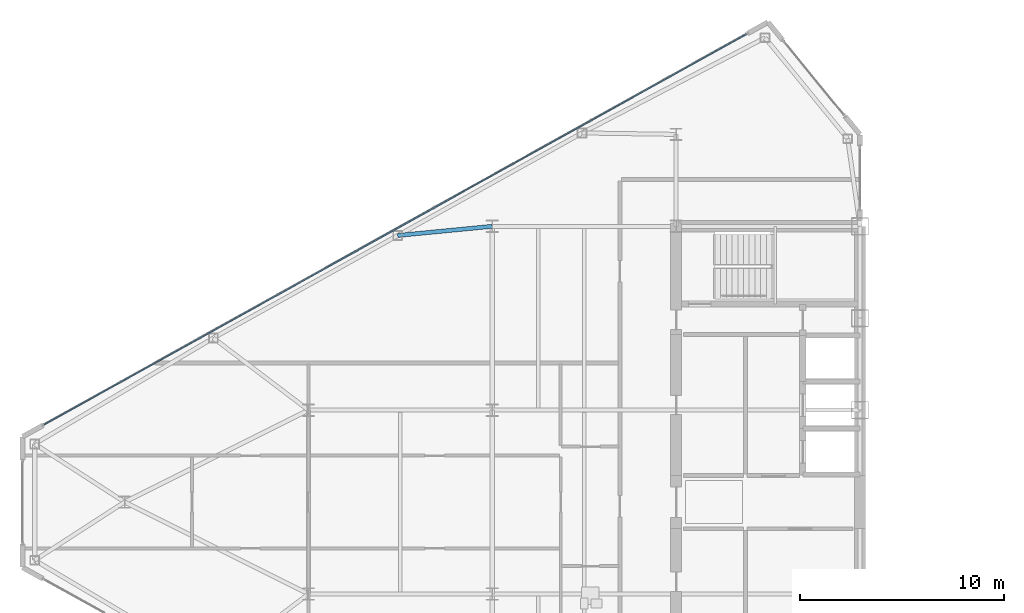
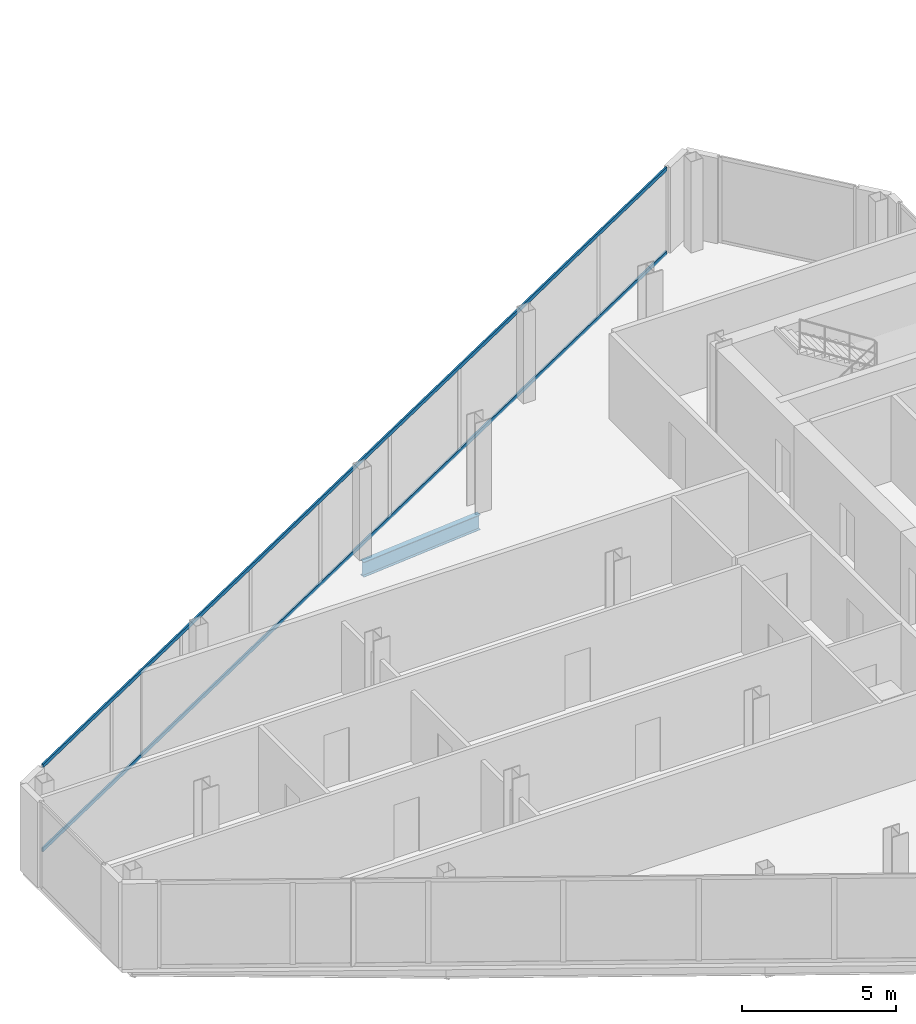
# One storey, part 9 of 25: 2 members, 1 beam, 1 element without a shape of its own.
"""IFC4 building model written with IfcOpenShell, lengths in metres."""

from ifc_helpers import new_model, si_unit, direction, frame, origin, origin_2d, place, context, subcontext, project, spatial, rectangle, i_section, extrude, source, transform, mapped, material, layer, layer_set, material_profile, profile_set, type_object, type_shapes, element, aggregate, save


model = new_model("IFC4")

# Units and contexts
model_context = context("Model", 3, precision=1e-05, world=origin(), true_north=direction((0.0, 1.0)))
body_context = subcontext(model_context, "Body", "Model", "MODEL_VIEW")
ifc_project = project(units=[si_unit("LENGTHUNIT", "METRE"), si_unit("AREAUNIT", "SQUARE_METRE"), si_unit("VOLUMEUNIT", "CUBIC_METRE"), si_unit("PLANEANGLEUNIT", "RADIAN"), si_unit("MASSUNIT", "GRAM", prefix="KILO")], contexts=[model_context])

# Site, building, storey
site_placement = place(None, origin())
site = spatial("IfcSite", under=ifc_project, at=site_placement, CompositionType="ELEMENT")
building_placement = place(site_placement, origin())
building = spatial("IfcBuilding", under=site, at=building_placement, Name="Seokmaru Belvedere", CompositionType="ELEMENT")
storey_placement = place(building_placement, frame((0.0, 0.0, 188.699951171875)))
storey = spatial("IfcBuildingStorey", under=building, at=storey_placement, Name="L50", CompositionType="ELEMENT", Elevation=188.699951171875)

# Beam
ifc_material_1 = material(Name="Steel SM355 (355 MPa)", Category="steel")
ifc_material_profile_1 = material_profile(ifc_material_1, i_section(OverallWidth=0.199951171875, OverallDepth=0.60009765625, WebThickness=0.010986328125, FlangeThickness=0.01708984375, at=origin_2d()), Name="H-600x200x11x17")
ifc_profile_set_1 = profile_set([ifc_material_profile_1], Name="Steel SM355 (355 MPa)")
beam_type = type_object("IfcBeamType", Name="Primary Floor Girder H-600", PredefinedType="BEAM", material=ifc_profile_set_1)
shared_shape_1 = source(origin(), body_context, "Body", "SweptSolid", [
    extrude(i_section(OverallWidth=0.199951171875, OverallDepth=0.60009765625, WebThickness=0.010986328125, FlangeThickness=0.01708984375, at=origin_2d()), origin(), (0.0, 0.0, 1.0), 4.65087890625),
])
type_shapes(beam_type, [shared_shape_1])
beam_placement = place(storey_placement, frame((-50.129150390625, 13.051025390625, -0.52001953125), z_axis=(0.995329534874, 0.09653557379, 0.0), x_axis=(-0.09653557379, 0.995329534874, 0.0)))
element("IfcBeam", 1, at=beam_placement, inside=storey, type_object=beam_type, Name="L50 W Flank Radial Floor Girder N-2", PredefinedType="BEAM", context=body_context, shape_type="MappedRepresentation", body=[
    mapped(shared_shape_1, transform((0.0, 0.0, 0.0), scale=1.0)),
])

# Curtain wall, members
ifc_material_2 = material(Name="Bronze Triple Insulating Glass", Category="glass")
ifc_layer = layer(ifc_material_2, 0.179931640625)
ifc_layer_set = layer_set([ifc_layer], Name="Bronze Triple Insulating Glass")
curtain_wall_type = type_object("IfcCurtainWallType", Name="High-Rise Wind-Corner Curtain Wall System CW-5", PredefinedType="NOTDEFINED", material=ifc_layer_set)
curtain_wall_placement = place(storey_placement, origin())
curtain_wall = element("IfcCurtainWall", 2, at=curtain_wall_placement, inside=storey, type_object=curtain_wall_type, Name="L50 Curtain Wall WF3", PredefinedType="NOTDEFINED")
ifc_material_3 = material(Name="Anodised Bronze Aluminium", Category="aluminium")
ifc_material_profile_2 = material_profile(ifc_material_3, rectangle(XDim=0.06494140625, YDim=0.14990234375, at=origin_2d()), Name="CW-T-65x150")
ifc_profile_set_2 = profile_set([ifc_material_profile_2], Name="Anodised Bronze Aluminium")
member_type = type_object("IfcMemberType", Name="Bronze Unitised Transom 65x150", PredefinedType="USERDEFINED", material=ifc_profile_set_2)
shared_shape_2 = source(origin(), body_context, "Body", "SweptSolid", [
    extrude(rectangle(XDim=0.06494140625, YDim=0.14990234375, at=origin_2d()), origin(), (0.0, 0.0, 1.0), 39.33544921875),
])
type_shapes(member_type, [shared_shape_2])
member_1_placement = place(storey_placement, frame((-33.061767578125, 22.909423828125, 0.032470703125), z_axis=(-0.873932045133, -0.486048125693, 0.0), x_axis=(0.486048125693, -0.873932045133, 0.0)))
member_1 = element("IfcMember", 3, at=member_1_placement, type_object=member_type, Name="CW:L50:WF3 Continuous Transom 1", ObjectType="TRANSOM", PredefinedType="USERDEFINED", context=body_context, shape_type="MappedRepresentation", body=[
    mapped(shared_shape_2, transform((0.0, 0.0, 0.0), scale=1.0)),
])
member_2_placement = place(storey_placement, frame((-33.061767578125, 22.909423828125, 3.34765625), z_axis=(-0.873932045133, -0.486048125693, 0.0), x_axis=(0.486048125693, -0.873932045133, 0.0)))
member_2 = element("IfcMember", 4, at=member_2_placement, type_object=member_type, Name="CW:L50:WF3 Continuous Transom 2", ObjectType="TRANSOM", PredefinedType="USERDEFINED", context=body_context, shape_type="MappedRepresentation", body=[
    mapped(shared_shape_2, transform((0.0, 0.0, 0.0), scale=1.0)),
])
aggregate(curtain_wall, [member_1, member_2])

save(model, "model.ifc")
